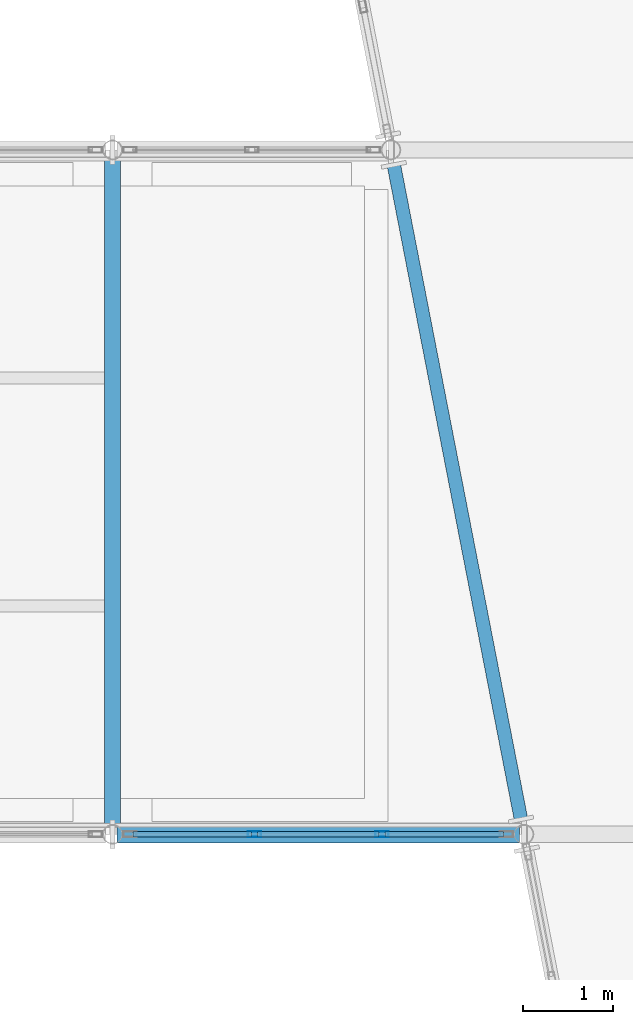
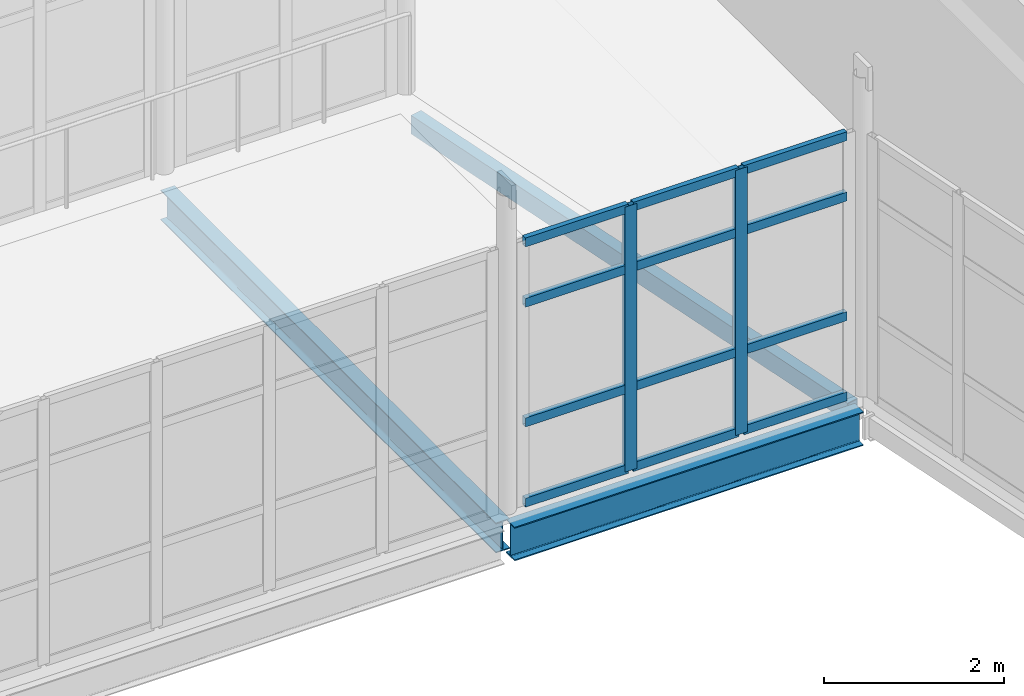
# One storey, part 90 of 166: 14 members, 3 beams, 1 element without a shape of its own.
"""IFC4 building model written with IfcOpenShell, lengths in metres."""

from ifc_helpers import new_model, si_unit, direction, frame, origin, origin_2d, place, context, subcontext, project, spatial, hollow_rectangle, i_section, extrude, material, material_profile, profile_set, type_object, element, aggregate, save


model = new_model("IFC4")

# Units and contexts
model_context = context("Model", 3, precision=1e-05, world=origin(), true_north=direction((0.0, 1.0)))
body_context = subcontext(model_context, "Body", "Model", "MODEL_VIEW")
ifc_project = project(units=[si_unit("LENGTHUNIT", "METRE"), si_unit("AREAUNIT", "SQUARE_METRE"), si_unit("VOLUMEUNIT", "CUBIC_METRE"), si_unit("PLANEANGLEUNIT", "RADIAN"), si_unit("MASSUNIT", "GRAM", prefix="KILO")], contexts=[model_context])

# Site, building, storey
site_placement = place(None, origin())
site = spatial("IfcSite", under=ifc_project, at=site_placement, CompositionType="ELEMENT")
building_placement = place(site_placement, origin())
building = spatial("IfcBuilding", under=site, at=building_placement, Name="Caisbarro Railhouse Central Library", CompositionType="ELEMENT")
storey_placement = place(building_placement, frame((0.0, 0.0, 9.360107421875)))
storey = spatial("IfcBuildingStorey", under=building, at=storey_placement, Name="L02", CompositionType="ELEMENT", Elevation=9.360107421875)

# Beams
ifc_material_1 = material(Name="Steel ASTM A572 Grade 50", Category="steel")
ifc_material_profile_1 = material_profile(ifc_material_1, i_section(OverallWidth=0.18994140625, OverallDepth=0.45703125, WebThickness=0.009033203125, FlangeThickness=0.014404296875, FilletRadius=0.01806640625, at=origin_2d()), Name="W460X74.0")
ifc_profile_set_1 = profile_set([ifc_material_profile_1], Name="Steel ASTM A572 Grade 50")
beam_type_1 = type_object("IfcBeamType", Name="BM-G08", PredefinedType="BEAM", material=ifc_profile_set_1)
beam_1_placement = place(storey_placement, frame((108.050048828125, 83.60009765625, -0.4287109375), z_axis=(1.0, 0.0, 0.0), x_axis=(0.0, 1.0, 0.0)))
element("IfcBeam", 1, at=beam_1_placement, inside=storey, type_object=beam_type_1, Name="G08 beam L02 #1753", PredefinedType="BEAM", context=body_context, shape_type="SweptSolid", body=[
    extrude(i_section(OverallWidth=0.18994140625, OverallDepth=0.45703125, WebThickness=0.009033203125, FlangeThickness=0.014404296875, FilletRadius=0.01806640625, at=origin_2d()), origin(), (0.0, 0.0, 1.0), 4.468017578125),
])
ifc_material_profile_2 = material_profile(ifc_material_1, i_section(OverallWidth=0.177978515625, OverallDepth=0.406982421875, WebThickness=0.0078125, FlangeThickness=0.0126953125, FilletRadius=0.01611328125, at=origin_2d()), Name="W410X60.0")
ifc_profile_set_2 = profile_set([ifc_material_profile_2], Name="Steel ASTM A572 Grade 50")
beam_type_2 = type_object("IfcBeamType", Name="BM-G10", PredefinedType="BEAM", material=ifc_profile_set_2)
beam_2_placement = place(storey_placement, frame((108.0, 83.679931640625, -0.403564453125), z_axis=(0.0, 1.0, 0.0), x_axis=(-1.0, 0.0, 0.0)))
element("IfcBeam", 2, at=beam_2_placement, inside=storey, type_object=beam_type_2, Name="G10 beam L02 #1734", PredefinedType="BEAM", context=body_context, shape_type="SweptSolid", body=[
    extrude(i_section(OverallWidth=0.177978515625, OverallDepth=0.406982421875, WebThickness=0.0078125, FlangeThickness=0.0126953125, FilletRadius=0.01611328125, at=origin_2d()), origin(), (0.0, 0.0, 1.0), 7.440185546875),
])
ifc_material_profile_3 = material_profile(ifc_material_1, hollow_rectangle(XDim=0.14990234375, YDim=0.25, WallThickness=0.010009765625, at=origin_2d()), Name="HSS250X150X10")
ifc_profile_set_3 = profile_set([ifc_material_profile_3], Name="Steel ASTM A572 Grade 50")
beam_type_3 = type_object("IfcBeamType", Name="BM-SP03", PredefinedType="SPANDREL", material=ifc_profile_set_3)
beam_3_placement = place(storey_placement, frame((112.53369140625, 83.776611328125, -0.34521484375), z_axis=(-0.1907899916, 0.981630877217, 0.0), x_axis=(-0.981630877217, -0.1907899916, 0.0)))
element("IfcBeam", 3, at=beam_3_placement, inside=storey, type_object=beam_type_3, Name="SP03 beam L02 #1745", PredefinedType="SPANDREL", context=body_context, shape_type="SweptSolid", body=[
    extrude(hollow_rectangle(XDim=0.14990234375, YDim=0.25, WallThickness=0.010009765625, at=origin_2d()), origin(), (0.0, 0.0, 1.0), 7.382080078125),
])

# Curtain wall, members
ifc_material_2 = material(Name="Anodised architectural aluminium", Category="aluminium")
curtain_wall_type = type_object("IfcCurtainWallType", Name="CW-CW03", PredefinedType="NOTDEFINED", material=ifc_material_2)
curtain_wall_placement = place(storey_placement, origin())
curtain_wall = element("IfcCurtainWall", 4, at=curtain_wall_placement, inside=storey, type_object=curtain_wall_type, Name="CW03 curtain wall L02 #209", PredefinedType="NOTDEFINED")
ifc_material_profile_4 = material_profile(ifc_material_2, hollow_rectangle(XDim=0.06494140625, YDim=0.14990234375, WallThickness=0.00390625, at=origin_2d()), Name="ALU-MUL-65X150")
ifc_profile_set_4 = profile_set([ifc_material_profile_4], Name="Anodised architectural aluminium")
member_type_1 = type_object("IfcMemberType", Name="CWM-M02", PredefinedType="MULLION", material=ifc_profile_set_4)
member_1_placement = place(storey_placement, frame((109.575927734375, 83.60009765625, 0.0), z_axis=(0.0, 0.0, 1.0), x_axis=(0.0, 1.0, 0.0)))
member_1 = element("IfcMember", 5, at=member_1_placement, type_object=member_type_1, Name="CW03 mullion 2", PredefinedType="MULLION", context=body_context, shape_type="SweptSolid", body=[
    extrude(hollow_rectangle(XDim=0.06494140625, YDim=0.14990234375, WallThickness=0.00390625, at=origin_2d()), origin(), (0.0, 0.0, 1.0), 3.58984375),
])
member_2_placement = place(storey_placement, frame((110.991943359375, 83.60009765625, 0.0), z_axis=(0.0, 0.0, 1.0), x_axis=(0.0, 1.0, 0.0)))
member_2 = element("IfcMember", 6, at=member_2_placement, type_object=member_type_1, Name="CW03 mullion 3", PredefinedType="MULLION", context=body_context, shape_type="SweptSolid", body=[
    extrude(hollow_rectangle(XDim=0.06494140625, YDim=0.14990234375, WallThickness=0.00390625, at=origin_2d()), origin(), (0.0, 0.0, 1.0), 3.58984375),
])
ifc_material_profile_5 = material_profile(ifc_material_2, hollow_rectangle(XDim=0.06494140625, YDim=0.1201171875, WallThickness=0.00341796875, at=origin_2d()), Name="ALU-TRN-65X120")
ifc_profile_set_5 = profile_set([ifc_material_profile_5], Name="Anodised architectural aluminium")
member_type_2 = type_object("IfcMemberType", Name="CWT-T02", PredefinedType="USERDEFINED", material=ifc_profile_set_5)
member_3_placement = place(storey_placement, frame((108.22509765625, 83.60009765625, 0.032470703125), z_axis=(1.0, 0.0, 0.0), x_axis=(0.0, 1.0, 0.0)))
member_3 = element("IfcMember", 7, at=member_3_placement, type_object=member_type_2, Name="CW03 transom 1.1", ObjectType="TRANSOM", PredefinedType="USERDEFINED", context=body_context, shape_type="SweptSolid", body=[
    extrude(hollow_rectangle(XDim=0.06494140625, YDim=0.1201171875, WallThickness=0.00341796875, at=origin_2d()), origin(), (0.0, 0.0, 1.0), 1.318359375),
])
member_4_placement = place(storey_placement, frame((108.22509765625, 83.60009765625, 1.119873046875), z_axis=(1.0, 0.0, 0.0), x_axis=(0.0, 1.0, 0.0)))
member_4 = element("IfcMember", 8, at=member_4_placement, type_object=member_type_2, Name="CW03 transom 1.2", ObjectType="TRANSOM", PredefinedType="USERDEFINED", context=body_context, shape_type="SweptSolid", body=[
    extrude(hollow_rectangle(XDim=0.06494140625, YDim=0.1201171875, WallThickness=0.00341796875, at=origin_2d()), origin(), (0.0, 0.0, 1.0), 1.318359375),
])
member_5_placement = place(storey_placement, frame((108.22509765625, 83.60009765625, 2.739990234375), z_axis=(1.0, 0.0, 0.0), x_axis=(0.0, 1.0, 0.0)))
member_5 = element("IfcMember", 9, at=member_5_placement, type_object=member_type_2, Name="CW03 transom 1.3", ObjectType="TRANSOM", PredefinedType="USERDEFINED", context=body_context, shape_type="SweptSolid", body=[
    extrude(hollow_rectangle(XDim=0.06494140625, YDim=0.1201171875, WallThickness=0.00341796875, at=origin_2d()), origin(), (0.0, 0.0, 1.0), 1.318359375),
])
member_6_placement = place(storey_placement, frame((108.22509765625, 83.60009765625, 3.557373046875), z_axis=(1.0, 0.0, 0.0), x_axis=(0.0, 1.0, 0.0)))
member_6 = element("IfcMember", 10, at=member_6_placement, type_object=member_type_2, Name="CW03 transom 1.4", ObjectType="TRANSOM", PredefinedType="USERDEFINED", context=body_context, shape_type="SweptSolid", body=[
    extrude(hollow_rectangle(XDim=0.06494140625, YDim=0.1201171875, WallThickness=0.00341796875, at=origin_2d()), origin(), (0.0, 0.0, 1.0), 1.318359375),
])
member_7_placement = place(storey_placement, frame((109.6083984375, 83.60009765625, 0.032470703125), z_axis=(1.0, 0.0, 0.0), x_axis=(0.0, 1.0, 0.0)))
member_7 = element("IfcMember", 11, at=member_7_placement, type_object=member_type_2, Name="CW03 transom 2.1", ObjectType="TRANSOM", PredefinedType="USERDEFINED", context=body_context, shape_type="SweptSolid", body=[
    extrude(hollow_rectangle(XDim=0.06494140625, YDim=0.1201171875, WallThickness=0.00341796875, at=origin_2d()), origin(), (0.0, 0.0, 1.0), 1.35107421875),
])
member_8_placement = place(storey_placement, frame((109.6083984375, 83.60009765625, 1.119873046875), z_axis=(1.0, 0.0, 0.0), x_axis=(0.0, 1.0, 0.0)))
member_8 = element("IfcMember", 12, at=member_8_placement, type_object=member_type_2, Name="CW03 transom 2.2", ObjectType="TRANSOM", PredefinedType="USERDEFINED", context=body_context, shape_type="SweptSolid", body=[
    extrude(hollow_rectangle(XDim=0.06494140625, YDim=0.1201171875, WallThickness=0.00341796875, at=origin_2d()), origin(), (0.0, 0.0, 1.0), 1.35107421875),
])
member_9_placement = place(storey_placement, frame((109.6083984375, 83.60009765625, 2.739990234375), z_axis=(1.0, 0.0, 0.0), x_axis=(0.0, 1.0, 0.0)))
member_9 = element("IfcMember", 13, at=member_9_placement, type_object=member_type_2, Name="CW03 transom 2.3", ObjectType="TRANSOM", PredefinedType="USERDEFINED", context=body_context, shape_type="SweptSolid", body=[
    extrude(hollow_rectangle(XDim=0.06494140625, YDim=0.1201171875, WallThickness=0.00341796875, at=origin_2d()), origin(), (0.0, 0.0, 1.0), 1.35107421875),
])
member_10_placement = place(storey_placement, frame((109.6083984375, 83.60009765625, 3.557373046875), z_axis=(1.0, 0.0, 0.0), x_axis=(0.0, 1.0, 0.0)))
member_10 = element("IfcMember", 14, at=member_10_placement, type_object=member_type_2, Name="CW03 transom 2.4", ObjectType="TRANSOM", PredefinedType="USERDEFINED", context=body_context, shape_type="SweptSolid", body=[
    extrude(hollow_rectangle(XDim=0.06494140625, YDim=0.1201171875, WallThickness=0.00341796875, at=origin_2d()), origin(), (0.0, 0.0, 1.0), 1.35107421875),
])
member_11_placement = place(storey_placement, frame((111.0244140625, 83.60009765625, 0.032470703125), z_axis=(1.0, 0.0, 0.0), x_axis=(0.0, 1.0, 0.0)))
member_11 = element("IfcMember", 15, at=member_11_placement, type_object=member_type_2, Name="CW03 transom 3.1", ObjectType="TRANSOM", PredefinedType="USERDEFINED", context=body_context, shape_type="SweptSolid", body=[
    extrude(hollow_rectangle(XDim=0.06494140625, YDim=0.1201171875, WallThickness=0.00341796875, at=origin_2d()), origin(), (0.0, 0.0, 1.0), 1.318603515625),
])
member_12_placement = place(storey_placement, frame((111.0244140625, 83.60009765625, 1.119873046875), z_axis=(1.0, 0.0, 0.0), x_axis=(0.0, 1.0, 0.0)))
member_12 = element("IfcMember", 16, at=member_12_placement, type_object=member_type_2, Name="CW03 transom 3.2", ObjectType="TRANSOM", PredefinedType="USERDEFINED", context=body_context, shape_type="SweptSolid", body=[
    extrude(hollow_rectangle(XDim=0.06494140625, YDim=0.1201171875, WallThickness=0.00341796875, at=origin_2d()), origin(), (0.0, 0.0, 1.0), 1.318603515625),
])
member_13_placement = place(storey_placement, frame((111.0244140625, 83.60009765625, 2.739990234375), z_axis=(1.0, 0.0, 0.0), x_axis=(0.0, 1.0, 0.0)))
member_13 = element("IfcMember", 17, at=member_13_placement, type_object=member_type_2, Name="CW03 transom 3.3", ObjectType="TRANSOM", PredefinedType="USERDEFINED", context=body_context, shape_type="SweptSolid", body=[
    extrude(hollow_rectangle(XDim=0.06494140625, YDim=0.1201171875, WallThickness=0.00341796875, at=origin_2d()), origin(), (0.0, 0.0, 1.0), 1.318603515625),
])
member_14_placement = place(storey_placement, frame((111.0244140625, 83.60009765625, 3.557373046875), z_axis=(1.0, 0.0, 0.0), x_axis=(0.0, 1.0, 0.0)))
member_14 = element("IfcMember", 18, at=member_14_placement, type_object=member_type_2, Name="CW03 transom 3.4", ObjectType="TRANSOM", PredefinedType="USERDEFINED", context=body_context, shape_type="SweptSolid", body=[
    extrude(hollow_rectangle(XDim=0.06494140625, YDim=0.1201171875, WallThickness=0.00341796875, at=origin_2d()), origin(), (0.0, 0.0, 1.0), 1.318603515625),
])
aggregate(curtain_wall, [member_1, member_2, member_3, member_4, member_5, member_6, member_7, member_8, member_9, member_10, member_11, member_12, member_13, member_14])

save(model, "model.ifc")
